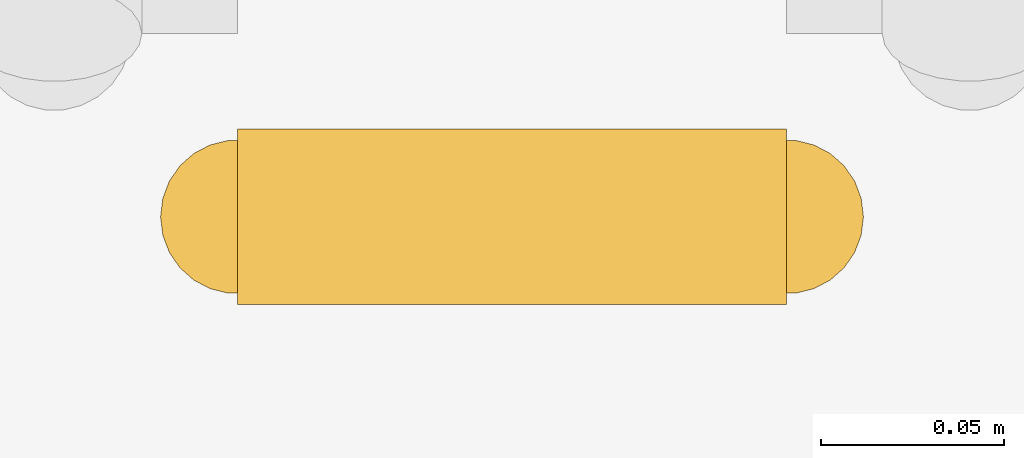
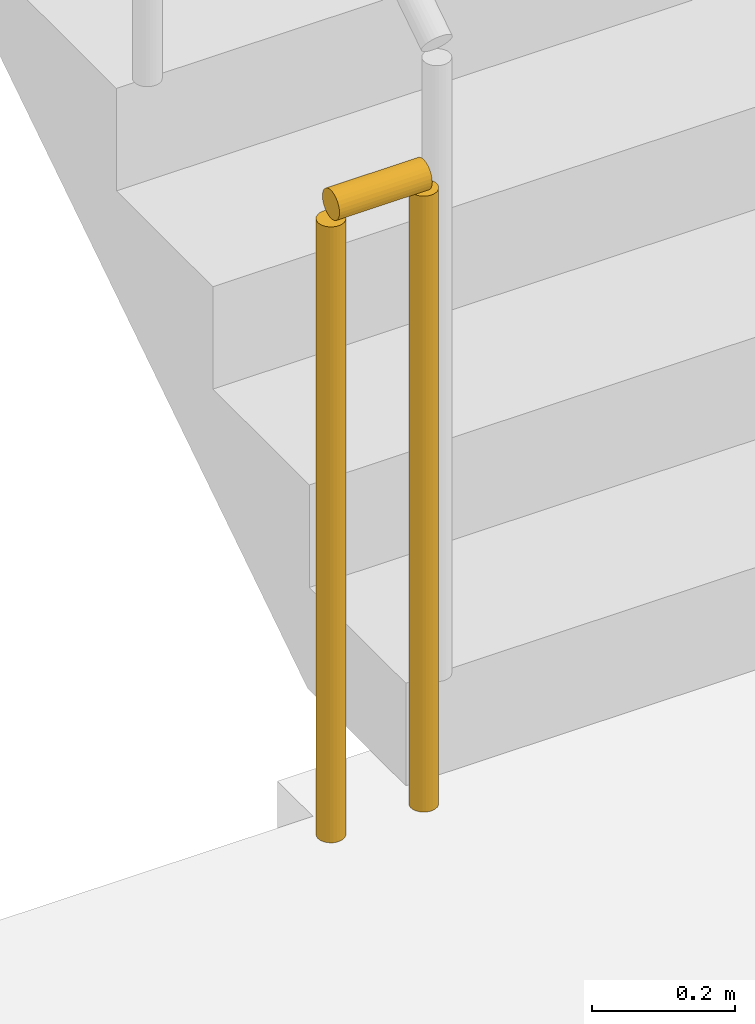
# One storey, part 17 of 20: 1 railing.
"""IFC4 building model written with IfcOpenShell, lengths in metres."""

from ifc_helpers import new_model, si_unit, direction, frame, origin, origin_2d, place, context, subcontext, project, spatial, circle, extrude, material, type_object, element, save


model = new_model("IFC4")

# Units and contexts
model_context = context("Model", 3, precision=1e-05, world=origin(), true_north=direction((0.0, 1.0)))
body_context = subcontext(model_context, "Body", "Model", "MODEL_VIEW")
ifc_project = project(units=[si_unit("LENGTHUNIT", "METRE"), si_unit("AREAUNIT", "SQUARE_METRE"), si_unit("VOLUMEUNIT", "CUBIC_METRE"), si_unit("PLANEANGLEUNIT", "RADIAN"), si_unit("MASSUNIT", "GRAM", prefix="KILO")], contexts=[model_context])

# Site, building, storey
site_placement = place(None, origin())
site = spatial("IfcSite", under=ifc_project, at=site_placement, CompositionType="ELEMENT")
building_placement = place(site_placement, origin())
building = spatial("IfcBuilding", under=site, at=building_placement, Name="Saffron Iwan Residences", CompositionType="ELEMENT")
storey_placement = place(building_placement, frame((0.0, 0.0, 181.5)))
storey = spatial("IfcBuildingStorey", under=building, at=storey_placement, Name="L48", CompositionType="ELEMENT", Elevation=181.5)

# Railing
ifc_material = material(Name="Steel S355", Category="steel")
railing_type = type_object("IfcRailingType", Name="Stair guard 1100", PredefinedType="GUARDRAIL", material=ifc_material)
railing_placement = place(storey_placement, frame((69.699951171875, 67.800048828125, 0.0)))
element("IfcRailing", 1, at=railing_placement, inside=storey, type_object=railing_type, Name="L48 ST-E stair guard 2", PredefinedType="GUARDRAIL", context=body_context, shape_type="SweptSolid", body=[
    extrude(circle(Radius=0.02392578125, at=origin_2d()), frame((0.0, 0.0, 1.076171875), z_axis=(-1.0, 0.0, 0.0), x_axis=(0.0, -1.0, 0.0)), (0.0, 0.0, 1.0), 0.14990234375),
    extrude(circle(Radius=0.02099609375, at=origin_2d()), origin(), (0.0, 0.0, 1.0), 1.052001953125),
    extrude(circle(Radius=0.02099609375, at=origin_2d()), frame((-0.14990234375, 0.0, 0.0)), (0.0, 0.0, 1.0), 1.052001953125),
])

save(model, "model.ifc")
